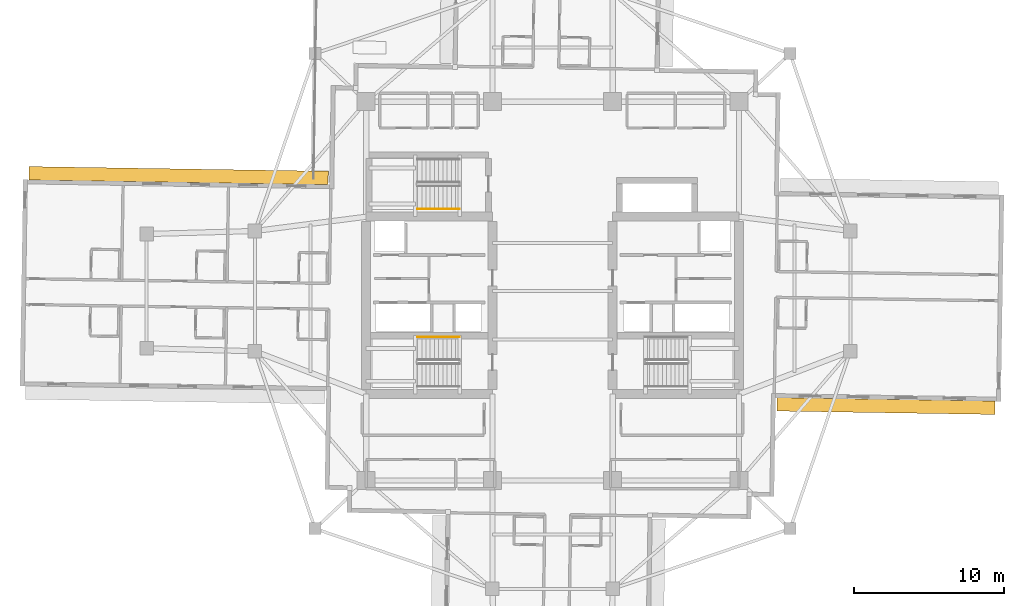
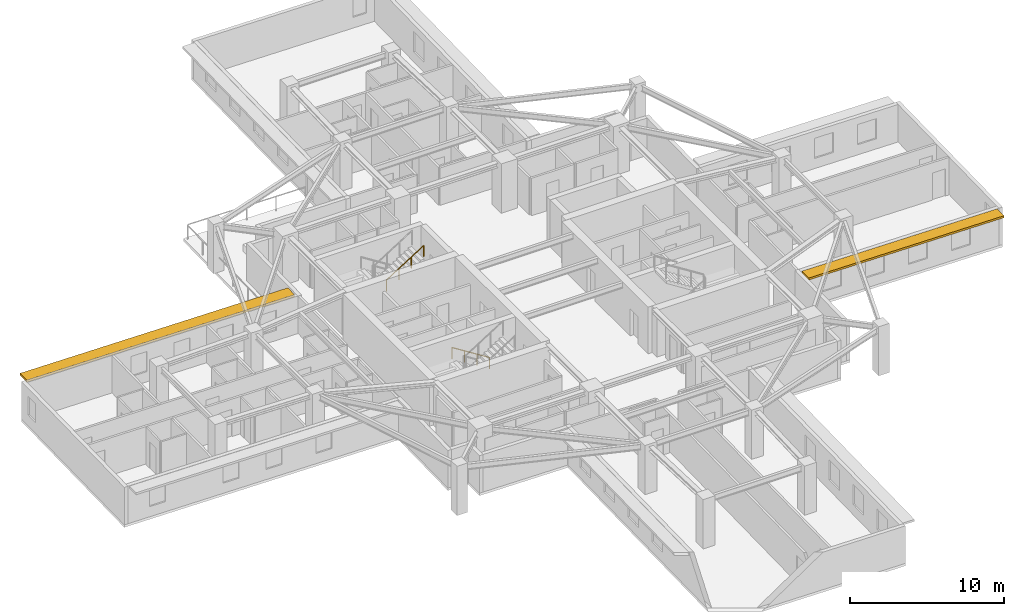
# One storey, part 11 of 13: 2 railings, 2 shading devices.
"""IFC4 building model written with IfcOpenShell, lengths in metres."""

from ifc_helpers import new_model, si_unit, direction, frame, origin, origin_2d, place, context, subcontext, project, spatial, rectangle, circle, extrude, material, layer, layer_set, type_object, element, save


model = new_model("IFC4")

# Units and contexts
model_context = context("Model", 3, precision=1e-05, world=origin(), true_north=direction((0.0, 1.0)))
body_context = subcontext(model_context, "Body", "Model", "MODEL_VIEW")
ifc_project = project(units=[si_unit("LENGTHUNIT", "METRE"), si_unit("AREAUNIT", "SQUARE_METRE"), si_unit("VOLUMEUNIT", "CUBIC_METRE"), si_unit("PLANEANGLEUNIT", "RADIAN"), si_unit("MASSUNIT", "GRAM", prefix="KILO")], contexts=[model_context])

# Site, building, storey
site_placement = place(None, origin())
site = spatial("IfcSite", under=ifc_project, at=site_placement, CompositionType="ELEMENT")
building_placement = place(site_placement, origin())
building = spatial("IfcBuilding", under=site, at=building_placement, Name="Qingluan Cross Belvedere", CompositionType="ELEMENT")
storey_placement = place(building_placement, frame((0.0, 0.0, 148.800048828125)))
storey = spatial("IfcBuildingStorey", under=building, at=storey_placement, Name="L37", CompositionType="ELEMENT", Elevation=148.800048828125)

# Shading devices
ifc_material_1 = material(Name="Precast concrete C45", Category="concrete")
ifc_layer = layer(ifc_material_1, 0.159912109375, Name="ConcreteSunshadeBand_900")
ifc_layer_set = layer_set([ifc_layer], Name="Precast concrete C45")
shading_device_type = type_object("IfcShadingDeviceType", Name="ConcreteSunshadeBand_900", PredefinedType="USERDEFINED", material=ifc_layer_set)
shading_device_1_placement = place(storey_placement, frame((22.172607421875, -7.63916015625, 2.7900390625), z_axis=(0.0, 0.0, 1.0), x_axis=(0.999876630106, -0.015707468526, 0.0)))
element("IfcShadingDevice", 1, at=shading_device_1_placement, inside=storey, type_object=shading_device_type, Name="Concrete SUNSHADE L37-EA", ObjectType="SUNSHADE", PredefinedType="USERDEFINED", context=body_context, shape_type="SweptSolid", body=[
    extrude(rectangle(XDim=14.5, YDim=0.89990234375, at=origin_2d()), origin(), (0.0, 0.0, 1.0), 0.159912109375),
])
shading_device_2_placement = place(storey_placement, frame((-24.872314453125, 7.681640625, 2.7900390625), z_axis=(0.0, 0.0, 1.0), x_axis=(-0.999876567432, 0.015711457647, 0.0)))
element("IfcShadingDevice", 2, at=shading_device_2_placement, inside=storey, type_object=shading_device_type, Name="Concrete SUNSHADE L37-WA", ObjectType="SUNSHADE", PredefinedType="USERDEFINED", context=body_context, shape_type="SweptSolid", body=[
    extrude(rectangle(XDim=19.89990234375, YDim=0.89990234375, at=origin_2d()), origin(), (0.0, 0.0, 1.0), 0.159912109375),
])

# Railings
ifc_material_2 = material(Name="Brushed stainless steel tubular handrail", Category="steel")
railing_type = type_object("IfcRailingType", Name="StairPitchHandrail_900", PredefinedType="HANDRAIL", material=ifc_material_2)
railing_1_placement = place(storey_placement, frame((-6.179931640625, -3.050048828125, 0.17724609375)))
element("IfcRailing", 3, at=railing_1_placement, inside=storey, type_object=railing_type, Name="L37 ST1 stair handrail 1", PredefinedType="HANDRAIL", context=body_context, shape_type="SweptSolid", body=[
    extrude(circle(Radius=0.02392578125, at=origin_2d()), frame((0.0, 0.0, 0.8759765625), z_axis=(-0.844908973607, 0.0, 0.534910110503), x_axis=(0.0, -1.0, 0.0)), (0.0, 0.0, 1.0), 3.31396484375),
    extrude(circle(Radius=0.02099609375, at=origin_2d()), origin(), (0.0, 0.0, 1.0), 0.851806640625),
    extrude(circle(Radius=0.02099609375, at=origin_2d()), frame((-0.933349609375, 0.0, 0.5908203125)), (0.0, 0.0, 1.0), 0.851806640625),
    extrude(circle(Radius=0.02099609375, at=origin_2d()), frame((-1.86669921875, 0.0, 1.181884765625)), (0.0, 0.0, 1.0), 0.851806640625),
    extrude(circle(Radius=0.02099609375, at=origin_2d()), frame((-2.800048828125, 0.0, 1.772705078125)), (0.0, 0.0, 1.0), 0.851806640625),
])
railing_2_placement = place(storey_placement, frame((-8.97998046875, 5.469970703125, 2.127197265625)))
element("IfcRailing", 4, at=railing_2_placement, inside=storey, type_object=railing_type, Name="L37 ST3 stair handrail 2", PredefinedType="HANDRAIL", context=body_context, shape_type="SweptSolid", body=[
    extrude(circle(Radius=0.02392578125, at=origin_2d()), frame((0.0, 0.0, 0.8759765625), z_axis=(0.844908973607, 0.0, 0.534910110503), x_axis=(0.0, 1.0, 0.0)), (0.0, 0.0, 1.0), 3.31396484375),
    extrude(circle(Radius=0.02099609375, at=origin_2d()), origin(), (0.0, 0.0, 1.0), 0.851806640625),
    extrude(circle(Radius=0.02099609375, at=origin_2d()), frame((0.933349609375, 0.0, 0.5908203125)), (0.0, 0.0, 1.0), 0.851806640625),
    extrude(circle(Radius=0.02099609375, at=origin_2d()), frame((1.86669921875, 0.0, 1.181884765625)), (0.0, 0.0, 1.0), 0.851806640625),
    extrude(circle(Radius=0.02099609375, at=origin_2d()), frame((2.800048828125, 0.0, 1.772705078125)), (0.0, 0.0, 1.0), 0.851806640625),
])

save(model, "model.ifc")
